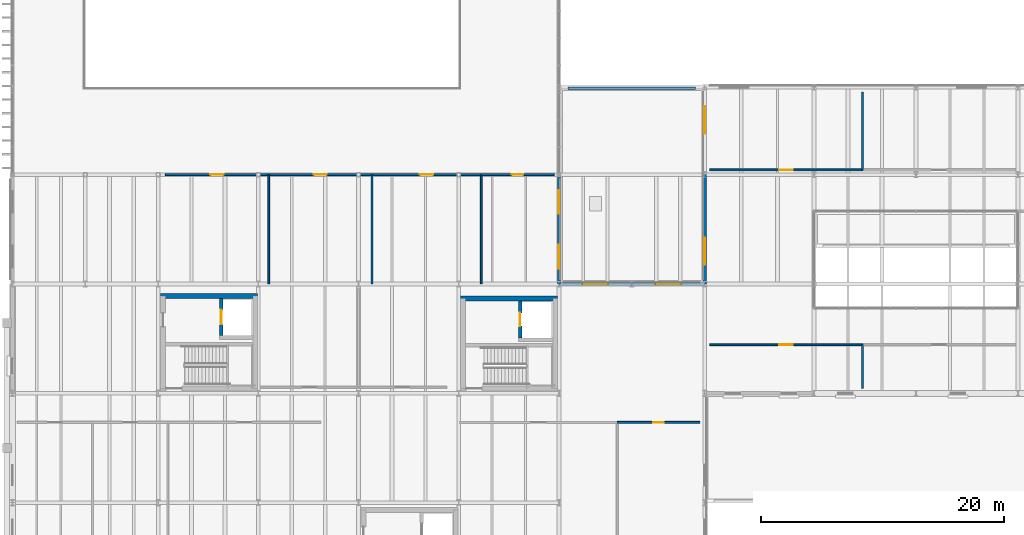
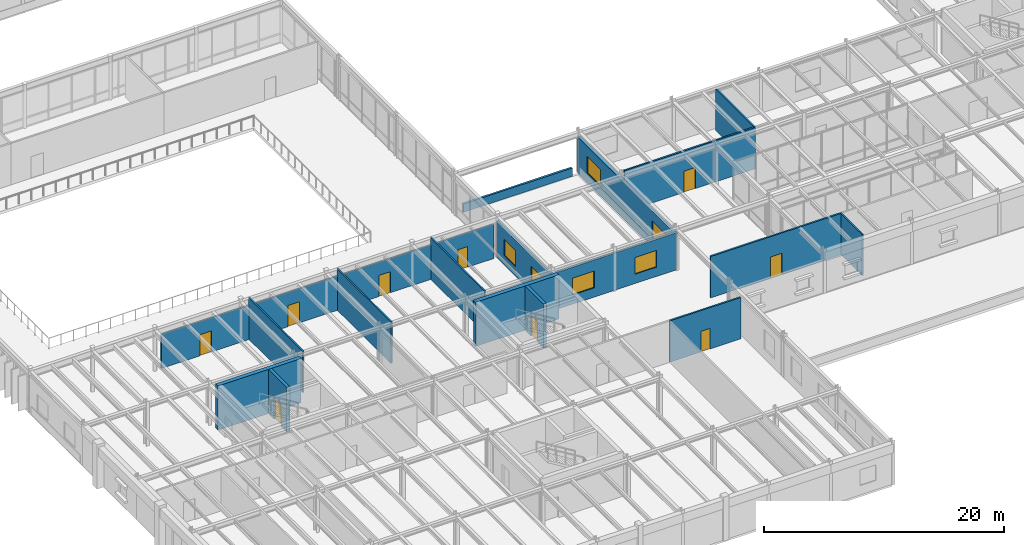
# One storey, part 45 of 64: 20 walls, 9 doors, 6 windows, 15 openings.
"""IFC4 building model written with IfcOpenShell, lengths in metres."""

from ifc_helpers import new_model, si_unit, direction, frame, frame_2d, origin, place, context, subcontext, project, spatial, rectangle, extrude, material, layer, layer_set, type_object, element, fill, save


model = new_model("IFC4")

# Units and contexts
model_context = context("Model", 3, precision=1e-05, world=origin(), true_north=direction((0.0, 1.0)))
body_context = subcontext(model_context, "Body", "Model", "MODEL_VIEW")
ifc_project = project(units=[si_unit("LENGTHUNIT", "METRE"), si_unit("AREAUNIT", "SQUARE_METRE"), si_unit("VOLUMEUNIT", "CUBIC_METRE"), si_unit("PLANEANGLEUNIT", "RADIAN"), si_unit("MASSUNIT", "GRAM", prefix="KILO")], contexts=[model_context])

# Site, building, storey
site_placement = place(None, origin())
site = spatial("IfcSite", under=ifc_project, at=site_placement, CompositionType="ELEMENT")
building_placement = place(site_placement, origin())
building = spatial("IfcBuilding", under=site, at=building_placement, Name="Montealbar Specialist Clinic", CompositionType="ELEMENT")
storey_placement = place(building_placement, frame((0.0, 0.0, 5.10009765625)))
storey = spatial("IfcBuildingStorey", under=building, at=storey_placement, Name="L01", CompositionType="ELEMENT", Elevation=5.10009765625)

# Wall, opening, door
ifc_material_1 = material(Name="Concrete C35/45", Category="concrete")
ifc_layer_1 = layer(ifc_material_1, 0.300048828125, Name="Concrete C35/45", Category="concrete")
ifc_layer_set_1 = layer_set([ifc_layer_1], Name="Concrete C35/45")
wall_type_1 = type_object("IfcWallType", Name="WL-CORE-300", PredefinedType="SHEAR", material=ifc_layer_set_1)
wall_1_placement = place(storey_placement, frame((71.199951171875, 31.75, 0.0), z_axis=(0.0, 0.0, 1.0), x_axis=(0.0, 1.0, 0.0)))
wall_1 = element("IfcWall", 1, at=wall_1_placement, inside=storey, type_object=wall_type_1, Name="Lift FL-01 Shaft Wall L01 LW", PredefinedType="SHEAR", context=body_context, shape_type="SweptSolid", body=[
    extrude(rectangle(XDim=3.050048828125, YDim=0.300048828125, at=frame_2d((1.52490234375, 0.0))), origin(), (0.0, 0.0, 1.0), 4.5),
])
opening_1_placement = place(wall_1_placement, frame((0.925048828125, 0.0, 0.0)))
opening_1 = element("IfcOpeningElement", 2, at=opening_1_placement, cuts=wall_1, Name="Opening LD-12", PredefinedType="OPENING", context=body_context, shape_type="SweptSolid", body=[
    extrude(rectangle(XDim=1.199951171875, YDim=2.14990234375, at=frame_2d((0.60009765625, 1.074951171875))), frame((0.0, 0.159912109375, 0.0), z_axis=(0.0, -1.0, 0.0), x_axis=(1.0, 0.0, 0.0)), (0.0, 0.0, 1.0), 0.320068359375),
])
ifc_material_2 = material(Name="Steel S355", Category="steel")
door_type_1 = type_object("IfcDoorType", Name="DR-LIFT-LD1200", OperationType="DOUBLE_DOOR_SLIDING", PredefinedType="DOOR", material=ifc_material_2)
door_1_placement = place(opening_1_placement, origin())
door_1 = element("IfcDoor", 3, at=door_1_placement, inside=storey, type_object=door_type_1, Name="Lift FL-01 Sliding Landing Door L01", OperationType="DOUBLE_DOOR_SLIDING", OverallHeight=2.14990234375, OverallWidth=1.199951171875, PredefinedType="DOOR", context=body_context, shape_type="SweptSolid", body=[
    extrude(rectangle(XDim=1.199951171875, YDim=2.14990234375, at=frame_2d((0.60009765625, 1.074951171875))), frame((0.0, 0.02490234375, 0.0), z_axis=(0.0, -1.0, 0.0), x_axis=(1.0, 0.0, 0.0)), (0.0, 0.0, 1.0), 0.050048828125),
])
fill(opening_1, door_1)

wall_2_placement = place(storey_placement, frame((95.800048828125, 31.550048828125, 0.0), z_axis=(0.0, 0.0, 1.0), x_axis=(0.0, 1.0, 0.0)))
wall_2 = element("IfcWall", 4, at=wall_2_placement, inside=storey, type_object=wall_type_1, Name="Lift LF-03 Shaft Wall L01 LW", PredefinedType="SHEAR", context=body_context, shape_type="SweptSolid", body=[
    extrude(rectangle(XDim=3.050048828125, YDim=0.300048828125, at=frame_2d((1.52490234375, 0.0))), origin(), (0.0, 0.0, 1.0), 4.5),
])
opening_2_placement = place(wall_2_placement, frame((0.97509765625, 0.0, 0.0)))
opening_2 = element("IfcOpeningElement", 5, at=opening_2_placement, cuts=wall_2, Name="Opening LD-11", PredefinedType="OPENING", context=body_context, shape_type="SweptSolid", body=[
    extrude(rectangle(XDim=1.10009765625, YDim=2.14990234375, at=frame_2d((0.550048828125, 1.074951171875))), frame((0.0, 0.159912109375, 0.0), z_axis=(0.0, -1.0, 0.0), x_axis=(1.0, 0.0, 0.0)), (0.0, 0.0, 1.0), 0.320068359375),
])
door_type_2 = type_object("IfcDoorType", Name="DR-LIFT-LD1100", OperationType="DOUBLE_DOOR_SLIDING", PredefinedType="DOOR", material=ifc_material_2)
door_2_placement = place(opening_2_placement, origin())
door_2 = element("IfcDoor", 6, at=door_2_placement, inside=storey, type_object=door_type_2, Name="Lift LF-03 Sliding Landing Door L01", OperationType="DOUBLE_DOOR_SLIDING", OverallHeight=2.14990234375, OverallWidth=1.10009765625, PredefinedType="DOOR", context=body_context, shape_type="SweptSolid", body=[
    extrude(rectangle(XDim=1.10009765625, YDim=2.14990234375, at=frame_2d((0.550048828125, 1.074951171875))), frame((0.0, 0.02490234375, 0.0), z_axis=(0.0, -1.0, 0.0), x_axis=(1.0, 0.0, 0.0)), (0.0, 0.0, 1.0), 0.050048828125),
])
fill(opening_2, door_2)

# Walls
ifc_layer_2 = layer(ifc_material_1, 0.39990234375, Name="Concrete C35/45", Category="concrete")
ifc_layer_set_2 = layer_set([ifc_layer_2], Name="Concrete C35/45")
wall_type_2 = type_object("IfcWallType", Name="WL-CORE-400", PredefinedType="SHEAR", material=ifc_layer_set_2)
for number, where, z_axis, x_axis, name in (
    (7, (66.199951171875, 35.0, 0.0), (0.0, 0.0, 1.0), (1.0, 0.0, 0.0), "Core C3 Shear Wall L01 N"),
    (8, (90.89990234375, 34.800048828125, 0.0), (0.0, 0.0, 1.0), (1.0, 0.0, 0.0), "Core C5 Shear Wall L01 N"),
):
    element("IfcWall", number, at=place(storey_placement, frame(where, z_axis=z_axis, x_axis=x_axis)), inside=storey, type_object=wall_type_2, Name=name, PredefinedType="SHEAR", context=body_context, shape_type="SweptSolid", body=[
        extrude(rectangle(XDim=8.0, YDim=0.39990234375, at=frame_2d((4.0, 0.0))), origin(), (0.0, 0.0, 1.0), 4.5),
    ])

# Wall, openings, windows
ifc_material_3 = material(Name="Precast concrete C40/50", Category="concrete")
ifc_layer_3 = layer(ifc_material_3, 0.239990234375, Name="Precast concrete C40/50", Category="concrete")
ifc_layer_set_3 = layer_set([ifc_layer_3], Name="Precast concrete C40/50")
wall_type_3 = type_object("IfcWallType", Name="WL-EXT-CLINIC-240", PredefinedType="SOLIDWALL", material=ifc_layer_set_3)
wall_3_placement = place(storey_placement, frame((99.0, 45.0, 0.0), z_axis=(0.0, 0.0, 1.0), x_axis=(0.0, -1.0, 0.0)))
wall_3 = element("IfcWall", 9, at=wall_3_placement, inside=storey, type_object=wall_type_3, Name="Exterior Facade Wall EW-L01-037", PredefinedType="SOLIDWALL", context=body_context, shape_type="SweptSolid", body=[
    extrude(rectangle(XDim=9.0, YDim=0.239990234375, at=frame_2d((4.5, 0.0))), origin(), (0.0, 0.0, 1.0), 3.679931640625),
])
opening_3_placement = place(wall_3_placement, frame((1.27490234375, 0.0, 0.949951171875)))
opening_3 = element("IfcOpeningElement", 10, at=opening_3_placement, cuts=wall_3, Name="Opening WN-06", PredefinedType="OPENING", context=body_context, shape_type="SweptSolid", body=[
    extrude(rectangle(XDim=1.949951171875, YDim=1.64990234375, at=frame_2d((0.97509765625, 0.824951171875))), frame((0.0, 0.1298828125, 0.0), z_axis=(0.0, -1.0, 0.0), x_axis=(1.0, 0.0, 0.0)), (0.0, 0.0, 1.0), 0.260009765625),
])
opening_4_placement = place(wall_3_placement, frame((5.77490234375, 0.0, 0.949951171875)))
opening_4 = element("IfcOpeningElement", 11, at=opening_4_placement, cuts=wall_3, Name="Opening WN-06", PredefinedType="OPENING", context=body_context, shape_type="SweptSolid", body=[
    extrude(rectangle(XDim=1.949951171875, YDim=1.64990234375, at=frame_2d((0.97509765625, 0.824951171875))), frame((0.0, 0.1298828125, 0.0), z_axis=(0.0, -1.0, 0.0), x_axis=(1.0, 0.0, 0.0)), (0.0, 0.0, 1.0), 0.260009765625),
])
ifc_material_4 = material(Name="Low-E double glazing", Category="glass")
window_type_1 = type_object("IfcWindowType", Name="WIN-WN-06", PartitioningType="SINGLE_PANEL", PredefinedType="WINDOW", material=ifc_material_4)
window_1_placement = place(opening_3_placement, origin())
window_1 = element("IfcWindow", 12, at=window_1_placement, inside=storey, type_object=window_type_1, Name="Clinical Facade Window WN-06 L01-0137", OverallHeight=1.64990234375, OverallWidth=1.949951171875, PartitioningType="SINGLE_PANEL", PredefinedType="WINDOW", context=body_context, shape_type="SweptSolid", body=[
    extrude(rectangle(XDim=1.949951171875, YDim=1.64990234375, at=frame_2d((0.97509765625, 0.824951171875))), frame((0.0, 0.030029296875, 0.0), z_axis=(0.0, -1.0, 0.0), x_axis=(1.0, 0.0, 0.0)), (0.0, 0.0, 1.0), 0.06005859375),
])
fill(opening_3, window_1)
window_2_placement = place(opening_4_placement, origin())
window_2 = element("IfcWindow", 13, at=window_2_placement, inside=storey, type_object=window_type_1, Name="Clinical Facade Window WN-06 L01-0138", OverallHeight=1.64990234375, OverallWidth=1.949951171875, PartitioningType="SINGLE_PANEL", PredefinedType="WINDOW", context=body_context, shape_type="SweptSolid", body=[
    extrude(rectangle(XDim=1.949951171875, YDim=1.64990234375, at=frame_2d((0.97509765625, 0.824951171875))), frame((0.0, 0.030029296875, 0.0), z_axis=(0.0, -1.0, 0.0), x_axis=(1.0, 0.0, 0.0)), (0.0, 0.0, 1.0), 0.06005859375),
])
fill(opening_4, window_2)

wall_4_placement = place(storey_placement, frame((99.0, 36.0, 0.0), z_axis=(0.0, 0.0, 1.0), x_axis=(1.0, 0.0, 0.0)))
wall_4 = element("IfcWall", 14, at=wall_4_placement, inside=storey, type_object=wall_type_3, Name="Exterior Facade Wall EW-L01-038", PredefinedType="SOLIDWALL", context=body_context, shape_type="SweptSolid", body=[
    extrude(rectangle(XDim=12.0, YDim=0.239990234375, at=frame_2d((6.0, 0.0))), origin(), (0.0, 0.0, 1.0), 3.77978515625),
])
opening_5_placement = place(wall_4_placement, frame((1.949951171875, 0.0, 0.949951171875)))
opening_5 = element("IfcOpeningElement", 15, at=opening_5_placement, cuts=wall_4, Name="Opening WN-07", PredefinedType="OPENING", context=body_context, shape_type="SweptSolid", body=[
    extrude(rectangle(XDim=2.10009765625, YDim=1.699951171875, at=frame_2d((1.050048828125, 0.85009765625))), frame((0.0, 0.1298828125, 0.0), z_axis=(0.0, -1.0, 0.0), x_axis=(1.0, 0.0, 0.0)), (0.0, 0.0, 1.0), 0.260009765625),
])
opening_6_placement = place(wall_4_placement, frame((7.949951171875, 0.0, 0.949951171875)))
opening_6 = element("IfcOpeningElement", 16, at=opening_6_placement, cuts=wall_4, Name="Opening WN-07", PredefinedType="OPENING", context=body_context, shape_type="SweptSolid", body=[
    extrude(rectangle(XDim=2.10009765625, YDim=1.699951171875, at=frame_2d((1.050048828125, 0.85009765625))), frame((0.0, 0.1298828125, 0.0), z_axis=(0.0, -1.0, 0.0), x_axis=(1.0, 0.0, 0.0)), (0.0, 0.0, 1.0), 0.260009765625),
])
window_type_2 = type_object("IfcWindowType", Name="WIN-WN-07", PartitioningType="SINGLE_PANEL", PredefinedType="WINDOW", material=ifc_material_4)
window_3_placement = place(opening_5_placement, origin())
window_3 = element("IfcWindow", 17, at=window_3_placement, inside=storey, type_object=window_type_2, Name="Clinical Facade Window WN-07 L01-0139", OverallHeight=1.699951171875, OverallWidth=2.10009765625, PartitioningType="SINGLE_PANEL", PredefinedType="WINDOW", context=body_context, shape_type="SweptSolid", body=[
    extrude(rectangle(XDim=2.10009765625, YDim=1.699951171875, at=frame_2d((1.050048828125, 0.85009765625))), frame((0.0, 0.030029296875, 0.0), z_axis=(0.0, -1.0, 0.0), x_axis=(1.0, 0.0, 0.0)), (0.0, 0.0, 1.0), 0.06005859375),
])
fill(opening_5, window_3)
window_4_placement = place(opening_6_placement, origin())
window_4 = element("IfcWindow", 18, at=window_4_placement, inside=storey, type_object=window_type_2, Name="Clinical Facade Window WN-07 L01-0140", OverallHeight=1.699951171875, OverallWidth=2.10009765625, PartitioningType="SINGLE_PANEL", PredefinedType="WINDOW", context=body_context, shape_type="SweptSolid", body=[
    extrude(rectangle(XDim=2.10009765625, YDim=1.699951171875, at=frame_2d((1.050048828125, 0.85009765625))), frame((0.0, 0.030029296875, 0.0), z_axis=(0.0, -1.0, 0.0), x_axis=(1.0, 0.0, 0.0)), (0.0, 0.0, 1.0), 0.06005859375),
])
fill(opening_6, window_4)

ifc_material_5 = material(Name="Terracotta architectural cladding", Category="masonry")
ifc_layer_4 = layer(ifc_material_5, 0.260009765625, Name="Terracotta architectural cladding", Category="masonry")
ifc_layer_set_4 = layer_set([ifc_layer_4], Name="Terracotta architectural cladding")
wall_type_4 = type_object("IfcWallType", Name="WL-EXT-TERRA-260", PredefinedType="SOLIDWALL", material=ifc_layer_set_4)
wall_5_placement = place(storey_placement, frame((111.0, 36.0, 0.0), z_axis=(0.0, 0.0, 1.0), x_axis=(0.0, 1.0, 0.0)))
wall_5 = element("IfcWall", 19, at=wall_5_placement, inside=storey, type_object=wall_type_4, Name="Exterior Facade Wall EW-L01-039", PredefinedType="SOLIDWALL", context=body_context, shape_type="SweptSolid", body=[
    extrude(rectangle(XDim=16.199951171875, YDim=0.260009765625, at=frame_2d((8.10009765625, 0.0))), origin(), (0.0, 0.0, 1.0), 3.679931640625),
])
opening_7_placement = place(wall_5_placement, frame((1.574951171875, 0.0, 0.949951171875)))
opening_7 = element("IfcOpeningElement", 20, at=opening_7_placement, cuts=wall_5, Name="Opening WN-08", PredefinedType="OPENING", context=body_context, shape_type="SweptSolid", body=[
    extrude(rectangle(XDim=2.25, YDim=1.699951171875, at=frame_2d((1.125, 0.85009765625))), frame((0.0, 0.139892578125, 0.0), z_axis=(0.0, -1.0, 0.0), x_axis=(1.0, 0.0, 0.0)), (0.0, 0.0, 1.0), 0.280029296875),
])
opening_8_placement = place(wall_5_placement, frame((12.375, 0.0, 0.949951171875)))
opening_8 = element("IfcOpeningElement", 21, at=opening_8_placement, cuts=wall_5, Name="Opening WN-08", PredefinedType="OPENING", context=body_context, shape_type="SweptSolid", body=[
    extrude(rectangle(XDim=2.25, YDim=1.699951171875, at=frame_2d((1.125, 0.85009765625))), frame((0.0, 0.139892578125, 0.0), z_axis=(0.0, -1.0, 0.0), x_axis=(1.0, 0.0, 0.0)), (0.0, 0.0, 1.0), 0.280029296875),
])
window_type_3 = type_object("IfcWindowType", Name="WIN-WN-08", PartitioningType="SINGLE_PANEL", PredefinedType="WINDOW", material=ifc_material_4)
window_5_placement = place(opening_7_placement, origin())
window_5 = element("IfcWindow", 22, at=window_5_placement, inside=storey, type_object=window_type_3, Name="Clinical Facade Window WN-08 L01-0141", OverallHeight=1.699951171875, OverallWidth=2.25, PartitioningType="SINGLE_PANEL", PredefinedType="WINDOW", context=body_context, shape_type="SweptSolid", body=[
    extrude(rectangle(XDim=2.25, YDim=1.699951171875, at=frame_2d((1.125, 0.85009765625))), frame((0.0, 0.030029296875, 0.0), z_axis=(0.0, -1.0, 0.0), x_axis=(1.0, 0.0, 0.0)), (0.0, 0.0, 1.0), 0.06005859375),
])
fill(opening_7, window_5)
window_6_placement = place(opening_8_placement, origin())
window_6 = element("IfcWindow", 23, at=window_6_placement, inside=storey, type_object=window_type_3, Name="Clinical Facade Window WN-08 L01-0142", OverallHeight=1.699951171875, OverallWidth=2.25, PartitioningType="SINGLE_PANEL", PredefinedType="WINDOW", context=body_context, shape_type="SweptSolid", body=[
    extrude(rectangle(XDim=2.25, YDim=1.699951171875, at=frame_2d((1.125, 0.85009765625))), frame((0.0, 0.030029296875, 0.0), z_axis=(0.0, -1.0, 0.0), x_axis=(1.0, 0.0, 0.0)), (0.0, 0.0, 1.0), 0.06005859375),
])
fill(opening_8, window_6)

# Walls
ifc_layer_5 = layer(ifc_material_3, 0.199951171875, Name="Precast concrete C40/50", Category="concrete")
ifc_layer_set_5 = layer_set([ifc_layer_5], Name="Precast concrete C40/50")
wall_type_5 = type_object("IfcWallType", Name="WL-PARAPET-200", PredefinedType="PARAPET", material=ifc_layer_set_5)
wall_6_placement = place(storey_placement, frame((99.75, 52.10009765625, 0.0), z_axis=(0.0, 0.0, 1.0), x_axis=(1.0, 0.0, 0.0)))
element("IfcWall", 24, at=wall_6_placement, inside=storey, type_object=wall_type_5, Name="Roof Parapet L01-008", PredefinedType="PARAPET", context=body_context, shape_type="SweptSolid", body=[
    extrude(rectangle(XDim=10.5, YDim=0.199951171875, at=frame_2d((5.25, 0.0))), origin(), (0.0, 0.0, 1.0), 0.849853515625),
])
ifc_material_6 = material(Name="Gypsum acoustic partition", Category="gypsum")
ifc_layer_6 = layer(ifc_material_6, 0.139892578125, Name="Gypsum acoustic partition", Category="gypsum")
ifc_layer_set_6 = layer_set([ifc_layer_6], Name="Gypsum acoustic partition")
wall_type_6 = type_object("IfcWallType", Name="WL-PART-ACOUSTIC-140", PredefinedType="PARTITIONING", material=ifc_layer_set_6)
for number, where, z_axis, x_axis, name in (
    (25, (75.10009765625, 36.0, 0.0), (0.0, 0.0, 1.0), (0.0, 1.0, 0.0), "Clinical Partition PART-L01-0086"),
    (26, (83.60009765625, 36.0, 0.0), (0.0, 0.0, 1.0), (0.0, 1.0, 0.0), "Clinical Partition PART-L01-0088"),
    (27, (92.60009765625, 36.0, 0.0), (0.0, 0.0, 1.0), (0.0, 1.0, 0.0), "Clinical Partition PART-L01-0090"),
):
    element("IfcWall", number, at=place(storey_placement, frame(where, z_axis=z_axis, x_axis=x_axis)), inside=storey, type_object=wall_type_6, Name=name, PredefinedType="PARTITIONING", context=body_context, shape_type="SweptSolid", body=[
        extrude(rectangle(XDim=9.0, YDim=0.139892578125, at=frame_2d((4.5, 0.0))), origin(), (0.0, 0.0, 1.0), 4.2099609375),
    ])
wall_7_placement = place(storey_placement, frame((124.0, 45.39990234375, 0.0), z_axis=(0.0, 0.0, 1.0), x_axis=(0.0, 1.0, 0.0)))
element("IfcWall", 28, at=wall_7_placement, inside=storey, type_object=wall_type_6, Name="Clinical Partition PART-L01-0120", PredefinedType="PARTITIONING", context=body_context, shape_type="SweptSolid", body=[
    extrude(rectangle(XDim=6.400146484375, YDim=0.139892578125, at=frame_2d((3.2001953125, 0.0))), origin(), (0.0, 0.0, 1.0), 4.2099609375),
])
wall_8_placement = place(storey_placement, frame((124.0, 27.39990234375, 0.0), z_axis=(0.0, 0.0, 1.0), x_axis=(0.0, 1.0, 0.0)))
element("IfcWall", 29, at=wall_8_placement, inside=storey, type_object=wall_type_6, Name="Clinical Partition PART-L01-0126", PredefinedType="PARTITIONING", context=body_context, shape_type="SweptSolid", body=[
    extrude(rectangle(XDim=3.60009765625, YDim=0.139892578125, at=frame_2d((1.800048828125, 0.0))), origin(), (0.0, 0.0, 1.0), 4.2099609375),
])

# Wall, opening, door
ifc_layer_7 = layer(ifc_material_6, 0.159912109375, Name="Gypsum acoustic partition", Category="gypsum")
ifc_layer_set_7 = layer_set([ifc_layer_7], Name="Gypsum acoustic partition")
wall_type_7 = type_object("IfcWallType", Name="WL-PART-CLINIC-160", PredefinedType="PARTITIONING", material=ifc_layer_set_7)
wall_9_placement = place(storey_placement, frame((66.60009765625, 45.0, 0.0), z_axis=(0.0, 0.0, 1.0), x_axis=(1.0, 0.0, 0.0)))
wall_9 = element("IfcWall", 30, at=wall_9_placement, inside=storey, type_object=wall_type_7, Name="Clinical Partition PART-L01-0085", PredefinedType="PARTITIONING", context=body_context, shape_type="SweptSolid", body=[
    extrude(rectangle(XDim=8.5, YDim=0.159912109375, at=frame_2d((4.25, 0.0))), origin(), (0.0, 0.0, 1.0), 3.47998046875),
])
opening_9_placement = place(wall_9_placement, frame((3.699951171875, 0.0, 0.0)))
opening_9 = element("IfcOpeningElement", 31, at=opening_9_placement, cuts=wall_9, Name="Opening ID-110", PredefinedType="OPENING", context=body_context, shape_type="SweptSolid", body=[
    extrude(rectangle(XDim=1.10009765625, YDim=2.14990234375, at=frame_2d((0.550048828125, 1.074951171875))), frame((0.0, 0.08984375, 0.0), z_axis=(0.0, -1.0, 0.0), x_axis=(1.0, 0.0, 0.0)), (0.0, 0.0, 1.0), 0.179931640625),
])
ifc_material_7 = material(Name="Acoustic timber leaf", Category="wood")
door_type_3 = type_object("IfcDoorType", Name="DR-CLIN-W1100", OperationType="NOTDEFINED", PredefinedType="DOOR", material=ifc_material_7)
door_3_placement = place(opening_9_placement, origin())
door_3 = element("IfcDoor", 32, at=door_3_placement, inside=storey, type_object=door_type_3, Name="Clinical Room Door IDR-L01-0057", OperationType="SINGLE_SWING_LEFT", OverallHeight=2.14990234375, OverallWidth=1.10009765625, PredefinedType="DOOR", context=body_context, shape_type="SweptSolid", body=[
    extrude(rectangle(XDim=1.10009765625, YDim=2.14990234375, at=frame_2d((0.550048828125, 1.074951171875))), frame((0.0, 0.02490234375, 0.0), z_axis=(0.0, -1.0, 0.0), x_axis=(1.0, 0.0, 0.0)), (0.0, 0.0, 1.0), 0.050048828125),
])
fill(opening_9, door_3)

wall_10_placement = place(storey_placement, frame((75.10009765625, 45.0, 0.0), z_axis=(0.0, 0.0, 1.0), x_axis=(1.0, 0.0, 0.0)))
wall_10 = element("IfcWall", 33, at=wall_10_placement, inside=storey, type_object=wall_type_7, Name="Clinical Partition PART-L01-0087", PredefinedType="PARTITIONING", context=body_context, shape_type="SweptSolid", body=[
    extrude(rectangle(XDim=8.5, YDim=0.159912109375, at=frame_2d((4.25, 0.0))), origin(), (0.0, 0.0, 1.0), 3.47998046875),
])
opening_10_placement = place(wall_10_placement, frame((3.699951171875, 0.0, 0.0)))
opening_10 = element("IfcOpeningElement", 34, at=opening_10_placement, cuts=wall_10, Name="Opening ID-110", PredefinedType="OPENING", context=body_context, shape_type="SweptSolid", body=[
    extrude(rectangle(XDim=1.10009765625, YDim=2.14990234375, at=frame_2d((0.550048828125, 1.074951171875))), frame((0.0, 0.08984375, 0.0), z_axis=(0.0, -1.0, 0.0), x_axis=(1.0, 0.0, 0.0)), (0.0, 0.0, 1.0), 0.179931640625),
])
door_4_placement = place(opening_10_placement, origin())
door_4 = element("IfcDoor", 35, at=door_4_placement, inside=storey, type_object=door_type_3, Name="Clinical Room Door IDR-L01-0058", OperationType="SINGLE_SWING_RIGHT", OverallHeight=2.14990234375, OverallWidth=1.10009765625, PredefinedType="DOOR", context=body_context, shape_type="SweptSolid", body=[
    extrude(rectangle(XDim=1.10009765625, YDim=2.14990234375, at=frame_2d((0.550048828125, 1.074951171875))), frame((0.0, 0.02490234375, 0.0), z_axis=(0.0, -1.0, 0.0), x_axis=(1.0, 0.0, 0.0)), (0.0, 0.0, 1.0), 0.050048828125),
])
fill(opening_10, door_4)

wall_11_placement = place(storey_placement, frame((83.60009765625, 45.0, 0.0), z_axis=(0.0, 0.0, 1.0), x_axis=(1.0, 0.0, 0.0)))
wall_11 = element("IfcWall", 36, at=wall_11_placement, inside=storey, type_object=wall_type_7, Name="Clinical Partition PART-L01-0089", PredefinedType="PARTITIONING", context=body_context, shape_type="SweptSolid", body=[
    extrude(rectangle(XDim=9.0, YDim=0.159912109375, at=frame_2d((4.5, 0.0))), origin(), (0.0, 0.0, 1.0), 3.47998046875),
])
opening_11_placement = place(wall_11_placement, frame((3.949951171875, 0.0, 0.0)))
opening_11 = element("IfcOpeningElement", 37, at=opening_11_placement, cuts=wall_11, Name="Opening ID-110", PredefinedType="OPENING", context=body_context, shape_type="SweptSolid", body=[
    extrude(rectangle(XDim=1.10009765625, YDim=2.14990234375, at=frame_2d((0.550048828125, 1.074951171875))), frame((0.0, 0.08984375, 0.0), z_axis=(0.0, -1.0, 0.0), x_axis=(1.0, 0.0, 0.0)), (0.0, 0.0, 1.0), 0.179931640625),
])
door_5_placement = place(opening_11_placement, origin())
door_5 = element("IfcDoor", 38, at=door_5_placement, inside=storey, type_object=door_type_3, Name="Clinical Room Door IDR-L01-0059", OperationType="SINGLE_SWING_LEFT", OverallHeight=2.14990234375, OverallWidth=1.10009765625, PredefinedType="DOOR", context=body_context, shape_type="SweptSolid", body=[
    extrude(rectangle(XDim=1.10009765625, YDim=2.14990234375, at=frame_2d((0.550048828125, 1.074951171875))), frame((0.0, 0.02490234375, 0.0), z_axis=(0.0, -1.0, 0.0), x_axis=(1.0, 0.0, 0.0)), (0.0, 0.0, 1.0), 0.050048828125),
])
fill(opening_11, door_5)

wall_12_placement = place(storey_placement, frame((92.60009765625, 45.0, 0.0), z_axis=(0.0, 0.0, 1.0), x_axis=(1.0, 0.0, 0.0)))
wall_12 = element("IfcWall", 39, at=wall_12_placement, inside=storey, type_object=wall_type_7, Name="Clinical Partition PART-L01-0091", PredefinedType="PARTITIONING", context=body_context, shape_type="SweptSolid", body=[
    extrude(rectangle(XDim=6.0, YDim=0.159912109375, at=frame_2d((3.0, 0.0))), origin(), (0.0, 0.0, 1.0), 3.47998046875),
])
opening_12_placement = place(wall_12_placement, frame((2.52490234375, 0.0, 0.0)))
opening_12 = element("IfcOpeningElement", 40, at=opening_12_placement, cuts=wall_12, Name="Opening ID-095", PredefinedType="OPENING", context=body_context, shape_type="SweptSolid", body=[
    extrude(rectangle(XDim=0.949951171875, YDim=2.10009765625, at=frame_2d((0.47509765625, 1.050048828125))), frame((0.0, 0.08984375, 0.0), z_axis=(0.0, -1.0, 0.0), x_axis=(1.0, 0.0, 0.0)), (0.0, 0.0, 1.0), 0.179931640625),
])
door_type_4 = type_object("IfcDoorType", Name="DR-WC-W0950", OperationType="NOTDEFINED", PredefinedType="DOOR", material=ifc_material_7)
door_6_placement = place(opening_12_placement, origin())
door_6 = element("IfcDoor", 41, at=door_6_placement, inside=storey, type_object=door_type_4, Name="Clinical Room Door IDR-L01-0060", OperationType="SINGLE_SWING_RIGHT", OverallHeight=2.10009765625, OverallWidth=0.949951171875, PredefinedType="DOOR", context=body_context, shape_type="SweptSolid", body=[
    extrude(rectangle(XDim=0.949951171875, YDim=2.10009765625, at=frame_2d((0.47509765625, 1.050048828125))), frame((0.0, 0.02490234375, 0.0), z_axis=(0.0, -1.0, 0.0), x_axis=(1.0, 0.0, 0.0)), (0.0, 0.0, 1.0), 0.050048828125),
])
fill(opening_12, door_6)

wall_13_placement = place(storey_placement, frame((103.800048828125, 24.60009765625, 0.0), z_axis=(0.0, 0.0, 1.0), x_axis=(1.0, 0.0, 0.0)))
wall_13 = element("IfcWall", 42, at=wall_13_placement, inside=storey, type_object=wall_type_7, Name="Clinical Partition PART-L01-0099", PredefinedType="PARTITIONING", context=body_context, shape_type="SweptSolid", body=[
    extrude(rectangle(XDim=6.800048828125, YDim=0.159912109375, at=frame_2d((3.39990234375, 0.0))), origin(), (0.0, 0.0, 1.0), 4.2099609375),
])
opening_13_placement = place(wall_13_placement, frame((2.949951171875, 0.0, 0.0)))
opening_13 = element("IfcOpeningElement", 43, at=opening_13_placement, cuts=wall_13, Name="Opening ID-090", PredefinedType="OPENING", context=body_context, shape_type="SweptSolid", body=[
    extrude(rectangle(XDim=0.89990234375, YDim=2.10009765625, at=frame_2d((0.449951171875, 1.050048828125))), frame((0.0, 0.08984375, 0.0), z_axis=(0.0, -1.0, 0.0), x_axis=(1.0, 0.0, 0.0)), (0.0, 0.0, 1.0), 0.179931640625),
])
door_type_5 = type_object("IfcDoorType", Name="DR-WC-W0900", OperationType="NOTDEFINED", PredefinedType="DOOR", material=ifc_material_7)
door_7_placement = place(opening_13_placement, origin())
door_7 = element("IfcDoor", 44, at=door_7_placement, inside=storey, type_object=door_type_5, Name="Clinical Room Door IDR-L01-0065", OperationType="SINGLE_SWING_LEFT", OverallHeight=2.10009765625, OverallWidth=0.89990234375, PredefinedType="DOOR", context=body_context, shape_type="SweptSolid", body=[
    extrude(rectangle(XDim=0.89990234375, YDim=2.10009765625, at=frame_2d((0.449951171875, 1.050048828125))), frame((0.0, 0.02490234375, 0.0), z_axis=(0.0, -1.0, 0.0), x_axis=(1.0, 0.0, 0.0)), (0.0, 0.0, 1.0), 0.050048828125),
])
fill(opening_13, door_7)

wall_14_placement = place(storey_placement, frame((111.39990234375, 45.39990234375, 0.0), z_axis=(0.0, 0.0, 1.0), x_axis=(1.0, 0.0, 0.0)))
wall_14 = element("IfcWall", 45, at=wall_14_placement, inside=storey, type_object=wall_type_7, Name="Clinical Partition PART-L01-0119", PredefinedType="PARTITIONING", context=body_context, shape_type="SweptSolid", body=[
    extrude(rectangle(XDim=12.60009765625, YDim=0.159912109375, at=frame_2d((6.300048828125, 0.0))), origin(), (0.0, 0.0, 1.0), 4.2099609375),
])
opening_14_placement = place(wall_14_placement, frame((5.75, 0.0, 0.0)))
opening_14 = element("IfcOpeningElement", 46, at=opening_14_placement, cuts=wall_14, Name="Opening ID-110", PredefinedType="OPENING", context=body_context, shape_type="SweptSolid", body=[
    extrude(rectangle(XDim=1.10009765625, YDim=2.14990234375, at=frame_2d((0.550048828125, 1.074951171875))), frame((0.0, 0.08984375, 0.0), z_axis=(0.0, -1.0, 0.0), x_axis=(1.0, 0.0, 0.0)), (0.0, 0.0, 1.0), 0.179931640625),
])
door_8_placement = place(opening_14_placement, frame((1.10009765625, 0.0, 0.0), z_axis=(0.0, 0.0, 1.0), x_axis=(-1.0, 0.0, 0.0)))
door_8 = element("IfcDoor", 47, at=door_8_placement, inside=storey, type_object=door_type_3, Name="Clinical Room Door IDR-L01-0078", OperationType="SINGLE_SWING_LEFT", OverallHeight=2.14990234375, OverallWidth=1.10009765625, PredefinedType="DOOR", context=body_context, shape_type="SweptSolid", body=[
    extrude(rectangle(XDim=1.10009765625, YDim=2.14990234375, at=frame_2d((0.550048828125, 1.074951171875))), frame((0.0, 0.02490234375, 0.0), z_axis=(0.0, -1.0, 0.0), x_axis=(1.0, 0.0, 0.0)), (0.0, 0.0, 1.0), 0.050048828125),
])
fill(opening_14, door_8)

wall_15_placement = place(storey_placement, frame((111.39990234375, 31.0, 0.0), z_axis=(0.0, 0.0, 1.0), x_axis=(1.0, 0.0, 0.0)))
wall_15 = element("IfcWall", 48, at=wall_15_placement, inside=storey, type_object=wall_type_7, Name="Clinical Partition PART-L01-0125", PredefinedType="PARTITIONING", context=body_context, shape_type="SweptSolid", body=[
    extrude(rectangle(XDim=12.60009765625, YDim=0.159912109375, at=frame_2d((6.300048828125, 0.0))), origin(), (0.0, 0.0, 1.0), 4.2099609375),
])
opening_15_placement = place(wall_15_placement, frame((5.75, 0.0, 0.0)))
opening_15 = element("IfcOpeningElement", 49, at=opening_15_placement, cuts=wall_15, Name="Opening ID-110", PredefinedType="OPENING", context=body_context, shape_type="SweptSolid", body=[
    extrude(rectangle(XDim=1.10009765625, YDim=2.14990234375, at=frame_2d((0.550048828125, 1.074951171875))), frame((0.0, 0.08984375, 0.0), z_axis=(0.0, -1.0, 0.0), x_axis=(1.0, 0.0, 0.0)), (0.0, 0.0, 1.0), 0.179931640625),
])
door_9_placement = place(opening_15_placement, origin())
door_9 = element("IfcDoor", 50, at=door_9_placement, inside=storey, type_object=door_type_3, Name="Clinical Room Door IDR-L01-0082", OperationType="SINGLE_SWING_LEFT", OverallHeight=2.14990234375, OverallWidth=1.10009765625, PredefinedType="DOOR", context=body_context, shape_type="SweptSolid", body=[
    extrude(rectangle(XDim=1.10009765625, YDim=2.14990234375, at=frame_2d((0.550048828125, 1.074951171875))), frame((0.0, 0.02490234375, 0.0), z_axis=(0.0, -1.0, 0.0), x_axis=(1.0, 0.0, 0.0)), (0.0, 0.0, 1.0), 0.050048828125),
])
fill(opening_15, door_9)

save(model, "model.ifc")
